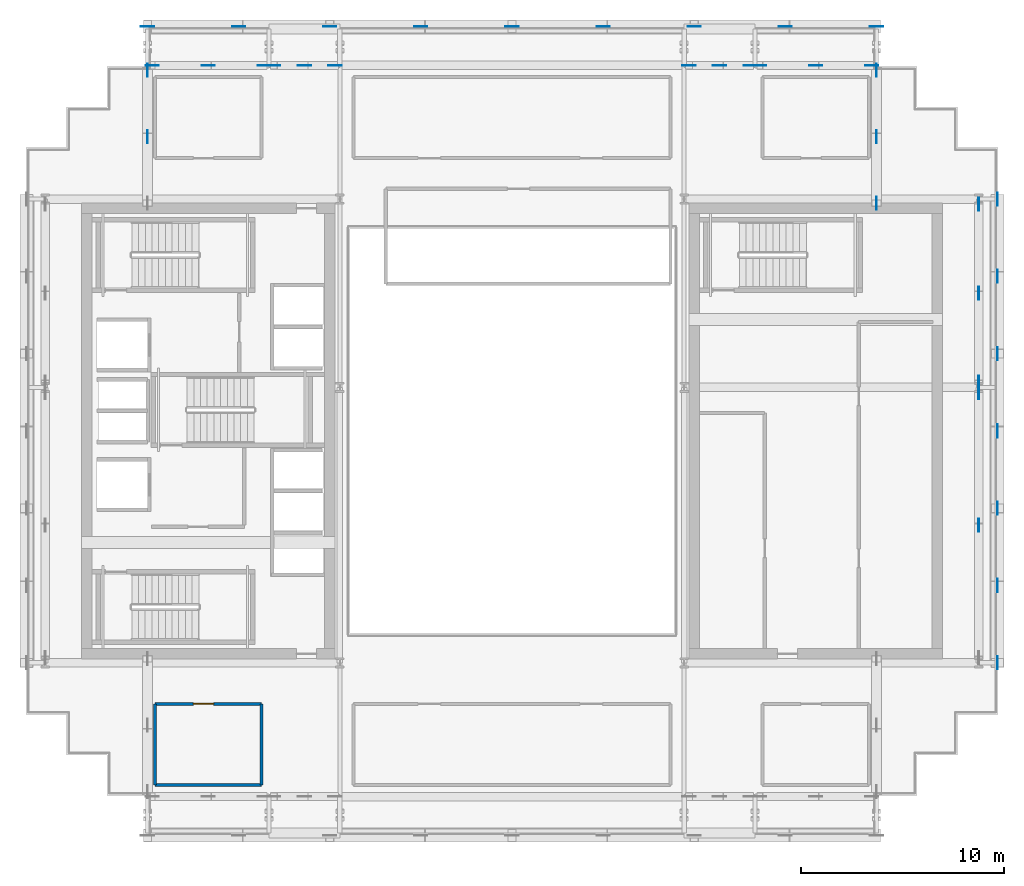
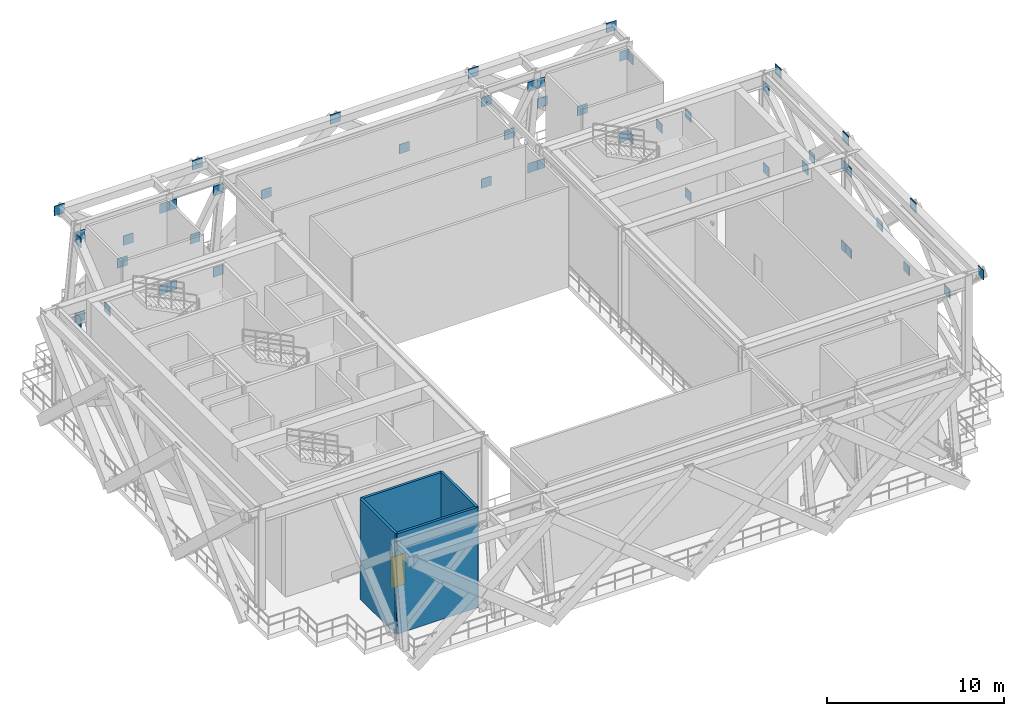
# One storey, part 5 of 13: 52 plates, 4 walls, 1 door, 1 opening.
"""IFC4 building model written with IfcOpenShell, lengths in metres."""

from ifc_helpers import new_model, si_unit, direction, frame, frame_2d, origin, origin_2d, place, context, subcontext, project, spatial, rectangle, extrude, source, transform, mapped, material, layer, layer_set, type_object, element, fill, save


model = new_model("IFC4")

# Units and contexts
model_context = context("Model", 3, precision=1e-05, world=origin(), true_north=direction((0.0, 1.0)))
body_context = subcontext(model_context, "Body", "Model", "MODEL_VIEW")
ifc_project = project(units=[si_unit("LENGTHUNIT", "METRE"), si_unit("AREAUNIT", "SQUARE_METRE"), si_unit("VOLUMEUNIT", "CUBIC_METRE"), si_unit("PLANEANGLEUNIT", "RADIAN"), si_unit("MASSUNIT", "GRAM", prefix="KILO")], contexts=[model_context])

# Site, building, storey
site_placement = place(None, origin())
site = spatial("IfcSite", under=ifc_project, at=site_placement, CompositionType="ELEMENT")
building_placement = place(site_placement, origin())
building = spatial("IfcBuilding", under=site, at=building_placement, Name="Ocotamira Hotel", CompositionType="ELEMENT")
storey_placement = place(building_placement, frame((0.0, 0.0, 220.800048828125)))
storey = spatial("IfcBuildingStorey", under=building, at=storey_placement, Name="L56", CompositionType="ELEMENT", Elevation=220.800048828125)

# Plates
ifc_material_1 = material(Name="Pale-metal coated steel ASTM A572 Grade 50", Category="steel")
ifc_layer_1 = layer(ifc_material_1, 0.0400390625)
ifc_layer_set_1 = layer_set([ifc_layer_1], Name="Pale-metal coated steel ASTM A572 Grade 50")
plate_type = type_object("IfcPlateType", Name="PLT-GUSSET-40", PredefinedType="SHEET", material=ifc_layer_set_1)
shared_shape_1 = source(origin(), body_context, "Body", "SweptSolid", [
    extrude(rectangle(XDim=0.64990234375, YDim=0.0400390625, at=origin_2d()), origin(), (0.0, 0.0, 1.0), 0.64990234375),
])
for number, where, z_axis, x_axis, name in (
    (1, (14.239990234375, 44.050048828125, 0.02490234375), (0.0, 0.0, 1.0), (1.0, 0.0, 0.0), "L56 Belt Truss Diagonal 14,44.05 A End Gusset A"),
    (2, (19.760009765625, 44.050048828125, 5.635009765625), (0.0, 0.0, 1.0), (1.0, 0.0, 0.0), "L56 Belt Truss Diagonal 14,44.05 A End Gusset B"),
    (3, (17.0, 44.050048828125, 2.830078125), (0.0, 0.0, 1.0), (1.0, 0.0, 0.0), "L56 Belt Truss Diagonal 14,44.05 B Crossing Gusset Plate"),
    (4, (14.239990234375, 44.050048828125, 5.635009765625), (0.0, 0.0, 1.0), (1.0, 0.0, 0.0), "L56 Belt Truss Diagonal 14,44.05 B End Gusset A"),
    (5, (19.760009765625, 44.050048828125, 0.02490234375), (0.0, 0.0, 1.0), (1.0, 0.0, 0.0), "L56 Belt Truss Diagonal 14,44.05 B End Gusset B"),
    (6, (20.239990234375, 44.050048828125, 0.02490234375), (0.0, 0.0, 1.0), (1.0, 0.0, 0.0), "L56 Belt Truss Diagonal 20,44.05 A End Gusset A"),
    (7, (23.260009765625, 44.050048828125, 5.635009765625), (0.0, 0.0, 1.0), (1.0, 0.0, 0.0), "L56 Belt Truss Diagonal 20,44.05 A End Gusset B"),
    (8, (21.75, 44.050048828125, 2.830078125), (0.0, 0.0, 1.0), (1.0, 0.0, 0.0), "L56 Belt Truss Diagonal 20,44.05 B Crossing Gusset Plate"),
    (9, (20.239990234375, 44.050048828125, 5.635009765625), (0.0, 0.0, 1.0), (1.0, 0.0, 0.0), "L56 Belt Truss Diagonal 20,44.05 B End Gusset A"),
    (10, (23.260009765625, 44.050048828125, 0.02490234375), (0.0, 0.0, 1.0), (1.0, 0.0, 0.0), "L56 Belt Truss Diagonal 20,44.05 B End Gusset B"),
    (11, (40.739990234375, 44.050048828125, 0.02490234375), (0.0, 0.0, 1.0), (1.0, 0.0, 0.0), "L56 Belt Truss Diagonal 40.5,44.05 A End Gusset A"),
    (12, (43.760009765625, 44.050048828125, 5.635009765625), (0.0, 0.0, 1.0), (1.0, 0.0, 0.0), "L56 Belt Truss Diagonal 40.5,44.05 A End Gusset B"),
    (13, (42.25, 44.050048828125, 2.830078125), (0.0, 0.0, 1.0), (1.0, 0.0, 0.0), "L56 Belt Truss Diagonal 40.5,44.05 B Crossing Gusset Plate"),
    (14, (40.739990234375, 44.050048828125, 5.635009765625), (0.0, 0.0, 1.0), (1.0, 0.0, 0.0), "L56 Belt Truss Diagonal 40.5,44.05 B End Gusset A"),
    (15, (43.760009765625, 44.050048828125, 0.02490234375), (0.0, 0.0, 1.0), (1.0, 0.0, 0.0), "L56 Belt Truss Diagonal 40.5,44.05 B End Gusset B"),
    (16, (44.239990234375, 44.050048828125, 0.02490234375), (0.0, 0.0, 1.0), (1.0, 0.0, 0.0), "L56 Belt Truss Diagonal 44,44.05 A End Gusset A"),
    (17, (49.760009765625, 44.050048828125, 5.635009765625), (0.0, 0.0, 1.0), (1.0, 0.0, 0.0), "L56 Belt Truss Diagonal 44,44.05 A End Gusset B"),
    (18, (47.0, 44.050048828125, 2.830078125), (0.0, 0.0, 1.0), (1.0, 0.0, 0.0), "L56 Belt Truss Diagonal 44,44.05 B Crossing Gusset Plate"),
    (19, (44.239990234375, 44.050048828125, 5.635009765625), (0.0, 0.0, 1.0), (1.0, 0.0, 0.0), "L56 Belt Truss Diagonal 44,44.05 B End Gusset A"),
    (20, (49.760009765625, 44.050048828125, 0.02490234375), (0.0, 0.0, 1.0), (1.0, 0.0, 0.0), "L56 Belt Truss Diagonal 44,44.05 B End Gusset B"),
    (21, (23.0, 45.969970703125, 6.344970703125), (0.0, 0.0, 1.0), (1.0, 0.0, 0.0), "L56 Exoskeleton Diagrid N0.1 End Gusset B"),
    (22, (18.5, 45.969970703125, 2.72509765625), (0.0, 0.0, 1.0), (-1.0, 0.0, 0.0), "L56 Exoskeleton Diagrid N0.2 Crossing Gusset Plate"),
    (23, (14.0, 45.969970703125, 6.344970703125), (0.0, 0.0, 1.0), (-1.0, 0.0, 0.0), "L56 Exoskeleton Diagrid N0.2 End Gusset B"),
    (24, (32.0, 45.969970703125, 6.344970703125), (0.0, 0.0, 1.0), (1.0, 0.0, 0.0), "L56 Exoskeleton Diagrid N1.1 End Gusset B"),
    (25, (27.5, 45.969970703125, 2.72509765625), (0.0, 0.0, 1.0), (-1.0, 0.0, 0.0), "L56 Exoskeleton Diagrid N1.2 Crossing Gusset Plate"),
    (26, (41.0, 45.969970703125, 6.344970703125), (0.0, 0.0, 1.0), (1.0, 0.0, 0.0), "L56 Exoskeleton Diagrid N2.1 End Gusset B"),
    (27, (36.5, 45.969970703125, 2.72509765625), (0.0, 0.0, 1.0), (-1.0, 0.0, 0.0), "L56 Exoskeleton Diagrid N2.2 Crossing Gusset Plate"),
    (28, (50.0, 45.969970703125, 6.344970703125), (0.0, 0.0, 1.0), (1.0, 0.0, 0.0), "L56 Exoskeleton Diagrid N3.1 End Gusset B"),
    (29, (45.5, 45.969970703125, 2.72509765625), (0.0, 0.0, 1.0), (-1.0, 0.0, 0.0), "L56 Exoskeleton Diagrid N3.2 Crossing Gusset Plate"),
):
    element("IfcPlate", number, at=place(storey_placement, frame(where, z_axis=z_axis, x_axis=x_axis)), inside=storey, type_object=plate_type, Name=name, PredefinedType="SHEET", context=body_context, shape_type="MappedRepresentation", body=[
        mapped(shared_shape_1, transform((0.0, 0.0, 0.0), scale=1.0)),
    ])
shared_shape_2 = source(origin(), body_context, "Body", "SweptSolid", [
    extrude(rectangle(XDim=0.0400390625, YDim=0.64990234375, at=origin_2d()), origin(), (0.0, 0.0, 1.0), 0.64990234375),
])
for number, where, z_axis, x_axis, name in (
    (30, (14.0, 43.820068359375, 5.514892578125), (0.0, 0.0, 1.0), (1.0, 0.0, 0.0), "L56 Outrigger Truss N X14 A End Gusset B"),
    (31, (14.0, 40.534912109375, 2.77001953125), (0.0, 0.0, 1.0), (1.0, 0.0, 0.0), "L56 Outrigger Truss N X14 B Crossing Gusset Plate"),
    (32, (14.0, 43.820068359375, 0.02490234375), (0.0, 0.0, 1.0), (1.0, 0.0, 0.0), "L56 Outrigger Truss N X14 B End Gusset B"),
    (33, (50.0, 37.25, 0.02490234375), (0.0, 0.0, 1.0), (1.0, 0.0, 0.0), "L56 Outrigger Truss N X50 A End Gusset A"),
    (34, (50.0, 43.820068359375, 5.514892578125), (0.0, 0.0, 1.0), (1.0, 0.0, 0.0), "L56 Outrigger Truss N X50 A End Gusset B"),
    (35, (50.0, 40.534912109375, 2.77001953125), (0.0, 0.0, 1.0), (1.0, 0.0, 0.0), "L56 Outrigger Truss N X50 B Crossing Gusset Plate"),
    (36, (50.0, 37.25, 5.514892578125), (0.0, 0.0, 1.0), (1.0, 0.0, 0.0), "L56 Outrigger Truss N X50 B End Gusset A"),
    (37, (50.0, 43.820068359375, 0.02490234375), (0.0, 0.0, 1.0), (1.0, 0.0, 0.0), "L56 Outrigger Truss N X50 B End Gusset B"),
    (38, (55.050048828125, 27.89990234375, 5.635009765625), (0.0, 0.0, 1.0), (1.0, 0.0, 0.0), "L56 Belt Truss Diagonal 55.05,14.55 A End Gusset B"),
    (39, (55.050048828125, 21.35009765625, 2.830078125), (0.0, 0.0, 1.0), (1.0, 0.0, 0.0), "L56 Belt Truss Diagonal 55.05,14.55 B Crossing Gusset Plate"),
    (40, (55.050048828125, 27.89990234375, 0.02490234375), (0.0, 0.0, 1.0), (1.0, 0.0, 0.0), "L56 Belt Truss Diagonal 55.05,14.55 B End Gusset B"),
    (41, (55.050048828125, 28.39990234375, 0.02490234375), (0.0, 0.0, 1.0), (1.0, 0.0, 0.0), "L56 Belt Truss Diagonal 55.05,28.15 A End Gusset A"),
    (42, (55.050048828125, 37.199951171875, 5.635009765625), (0.0, 0.0, 1.0), (1.0, 0.0, 0.0), "L56 Belt Truss Diagonal 55.05,28.15 A End Gusset B"),
    (43, (55.050048828125, 32.800048828125, 2.830078125), (0.0, 0.0, 1.0), (1.0, 0.0, 0.0), "L56 Belt Truss Diagonal 55.05,28.15 B Crossing Gusset Plate"),
    (44, (55.050048828125, 28.39990234375, 5.635009765625), (0.0, 0.0, 1.0), (1.0, 0.0, 0.0), "L56 Belt Truss Diagonal 55.05,28.15 B End Gusset A"),
    (45, (55.050048828125, 37.199951171875, 0.02490234375), (0.0, 0.0, 1.0), (1.0, 0.0, 0.0), "L56 Belt Truss Diagonal 55.05,28.15 B End Gusset B"),
    (46, (55.969970703125, 22.183349609375, 6.344970703125), (0.0, 0.0, 1.0), (1.0, 0.0, 0.0), "L56 Exoskeleton Diagrid E0.1 End Gusset B"),
    (47, (55.969970703125, 18.36669921875, 2.72509765625), (0.0, 0.0, 1.0), (1.0, 0.0, 0.0), "L56 Exoskeleton Diagrid E0.2 Crossing Gusset Plate"),
    (48, (55.969970703125, 14.550048828125, 6.344970703125), (0.0, 0.0, 1.0), (1.0, 0.0, 0.0), "L56 Exoskeleton Diagrid E0.2 End Gusset B"),
    (49, (55.969970703125, 29.816650390625, 6.344970703125), (0.0, 0.0, 1.0), (1.0, 0.0, 0.0), "L56 Exoskeleton Diagrid E1.1 End Gusset B"),
    (50, (55.969970703125, 26.0, 2.72509765625), (0.0, 0.0, 1.0), (1.0, 0.0, 0.0), "L56 Exoskeleton Diagrid E1.2 Crossing Gusset Plate"),
    (51, (55.969970703125, 37.449951171875, 6.344970703125), (0.0, 0.0, 1.0), (1.0, 0.0, 0.0), "L56 Exoskeleton Diagrid E2.1 End Gusset B"),
    (52, (55.969970703125, 33.63330078125, 2.72509765625), (0.0, 0.0, 1.0), (1.0, 0.0, 0.0), "L56 Exoskeleton Diagrid E2.2 Crossing Gusset Plate"),
):
    element("IfcPlate", number, at=place(storey_placement, frame(where, z_axis=z_axis, x_axis=x_axis)), inside=storey, type_object=plate_type, Name=name, PredefinedType="SHEET", context=body_context, shape_type="MappedRepresentation", body=[
        mapped(shared_shape_2, transform((0.0, 0.0, 0.0), scale=1.0)),
    ])

# Wall, opening, door
ifc_material_2 = material(Name="Acoustic double-layer fire gypsum board partition", Category="gypsum")
ifc_layer_2 = layer(ifc_material_2, 0.159912109375)
ifc_layer_set_2 = layer_set([ifc_layer_2], Name="Acoustic double-layer fire gypsum board partition")
wall_type = type_object("IfcWallType", Name="WL-FIRE-160", PredefinedType="PARTITIONING", material=ifc_layer_set_2)
wall_1_placement = place(storey_placement, frame((14.3701171875, 12.52001953125, 0.0), z_axis=(0.0, 0.0, 1.0), x_axis=(1.0, 0.0, 0.0)))
wall_1 = element("IfcWall", 53, at=wall_1_placement, inside=storey, type_object=wall_type, Name="L56 Interior Wall PW-L56-L56-CHILL-F", PredefinedType="PARTITIONING", context=body_context, shape_type="SweptSolid", body=[
    extrude(rectangle(XDim=5.259765625, YDim=0.159912109375, at=frame_2d((2.6298828125, 0.0))), origin(), (0.0, 0.0, 1.0), 6.919921875),
])
opening_placement = place(wall_1_placement, frame((1.89990234375, 0.0, 0.0)))
opening = element("IfcOpeningElement", 54, at=opening_placement, cuts=wall_1, Name="Opening D-FR2", PredefinedType="OPENING", context=body_context, shape_type="SweptSolid", body=[
    extrude(rectangle(XDim=1.0, YDim=2.14990234375, at=frame_2d((0.5, 1.074951171875))), frame((0.0, 0.08984375, 0.0), z_axis=(0.0, -1.0, 0.0), x_axis=(1.0, 0.0, 0.0)), (0.0, 0.0, 1.0), 0.179931640625),
])
ifc_material_3 = material(Name="Fire-rated acoustic timber-veneer door", Category="wood")
door_type = type_object("IfcDoorType", Name="DR-FIRE-1000", OperationType="NOTDEFINED", PredefinedType="DOOR", material=ifc_material_3)
shared_shape_3 = source(origin(), body_context, "Body", "SweptSolid", [
    extrude(rectangle(XDim=1.0, YDim=2.14990234375, at=frame_2d((0.5, 1.074951171875))), frame((0.0, 0.02490234375, 0.0), z_axis=(0.0, -1.0, 0.0), x_axis=(1.0, 0.0, 0.0)), (0.0, 0.0, 1.0), 0.050048828125),
])
door_placement = place(opening_placement, origin())
door = element("IfcDoor", 55, at=door_placement, inside=storey, type_object=door_type, Name="L56 Door ID-L56-L56-CHILL-D [ID-L56-L56-CHILL-D]", OperationType="SINGLE_SWING_RIGHT", OverallHeight=2.14990234375, OverallWidth=1.0, PredefinedType="DOOR", context=body_context, shape_type="MappedRepresentation", body=[
    mapped(shared_shape_3, transform((0.0, 0.0, 0.0), scale=1.0)),
])
fill(opening, door)

# Walls
wall_2_placement = place(storey_placement, frame((14.3701171875, 8.52001953125, 0.0), z_axis=(0.0, 0.0, 1.0), x_axis=(1.0, 0.0, 0.0)))
element("IfcWall", 56, at=wall_2_placement, inside=storey, type_object=wall_type, Name="L56 Interior Wall PW-L56-L56-CHILL-B", PredefinedType="PARTITIONING", context=body_context, shape_type="SweptSolid", body=[
    extrude(rectangle(XDim=5.259765625, YDim=0.159912109375, at=frame_2d((2.6298828125, 0.0))), origin(), (0.0, 0.0, 1.0), 6.919921875),
])
for number, where, z_axis, x_axis, name in (
    (57, (14.3701171875, 8.52001953125, 0.0), (0.0, 0.0, 1.0), (0.0, 1.0, 0.0), "L56 Interior Wall PW-L56-L56-CHILL-W"),
    (58, (19.6298828125, 8.52001953125, 0.0), (0.0, 0.0, 1.0), (0.0, 1.0, 0.0), "L56 Interior Wall PW-L56-L56-CHILL-E"),
):
    element("IfcWall", number, at=place(storey_placement, frame(where, z_axis=z_axis, x_axis=x_axis)), inside=storey, type_object=wall_type, Name=name, PredefinedType="PARTITIONING", context=body_context, shape_type="SweptSolid", body=[
        extrude(rectangle(XDim=4.0, YDim=0.159912109375, at=frame_2d((2.0, 0.0))), origin(), (0.0, 0.0, 1.0), 6.919921875),
    ])

save(model, "model.ifc")
